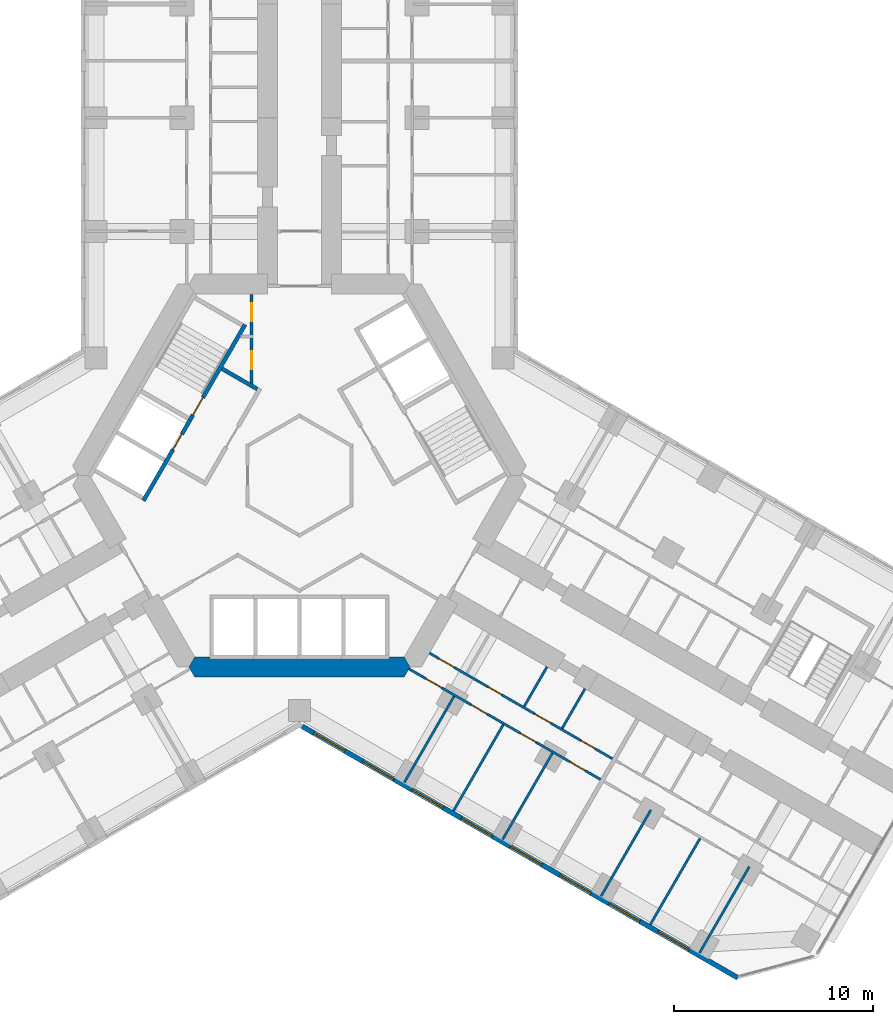
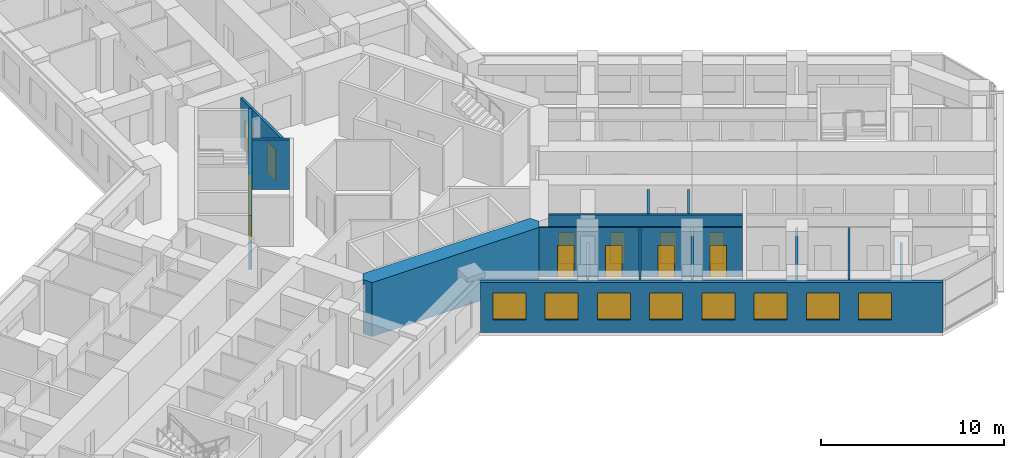
# One storey, part 13 of 21: 15 walls, 12 doors, 8 windows, 20 openings.
"""IFC4 building model written with IfcOpenShell, lengths in metres."""

from ifc_helpers import new_model, si_unit, direction, frame, frame_2d, origin, place, context, subcontext, project, spatial, polyline, rectangle, outline, extrude, material, layer, layer_set, type_object, element, fill, save


model = new_model("IFC4")

# Units and contexts
model_context = context("Model", 3, precision=1e-05, world=origin(), true_north=direction((0.0, 1.0)))
body_context = subcontext(model_context, "Body", "Model", "MODEL_VIEW")
ifc_project = project(units=[si_unit("LENGTHUNIT", "METRE"), si_unit("AREAUNIT", "SQUARE_METRE"), si_unit("VOLUMEUNIT", "CUBIC_METRE"), si_unit("PLANEANGLEUNIT", "RADIAN"), si_unit("MASSUNIT", "GRAM", prefix="KILO")], contexts=[model_context])

# Site, building, storey
site_placement = place(None, origin())
site = spatial("IfcSite", under=ifc_project, at=site_placement, CompositionType="ELEMENT")
building_placement = place(site_placement, origin())
building = spatial("IfcBuilding", under=site, at=building_placement, Name="Kosmar Iwan School Tower", CompositionType="ELEMENT")
storey_placement = place(building_placement, frame((0.0, 0.0, 28.800048828125)))
storey = spatial("IfcBuildingStorey", under=building, at=storey_placement, Name="L06", CompositionType="ELEMENT", Elevation=28.800048828125)

# Wall, openings, doors
ifc_material_1 = material(Name="Gypsum board on steel studs, fire-rated", Category="steel")
ifc_layer_1 = layer(ifc_material_1, 0.14990234375)
ifc_layer_set_1 = layer_set([ifc_layer_1], Name="Core room partition 150")
wall_type_1 = type_object("IfcWallType", Name="Core room partition 150", PredefinedType="PARTITIONING", material=ifc_layer_set_1)
wall_1_placement = place(storey_placement, frame((-2.39990234375, 9.094970703125, 0.0), z_axis=(0.0, 0.0, 1.0), x_axis=(0.0, -1.0, 0.0)))
wall_1 = element("IfcWall", 1, at=wall_1_placement, inside=storey, type_object=wall_type_1, Name="Core room partition L06-CW1", PredefinedType="PARTITIONING", context=body_context, shape_type="SweptSolid", body=[
    extrude(rectangle(XDim=4.564208984375, YDim=0.14990234375, at=frame_2d((2.2822265625, 0.0))), origin(), (0.0, 0.0, 1.0), 3.300048828125),
])
opening_1_placement = place(wall_1_placement, frame((0.455078125, 0.0, 0.0)))
opening_1 = element("IfcOpeningElement", 2, at=opening_1_placement, cuts=wall_1, Name="Opening D14", PredefinedType="OPENING", context=body_context, shape_type="SweptSolid", body=[
    extrude(rectangle(XDim=0.89990234375, YDim=2.10009765625, at=frame_2d((0.449951171875, 1.050048828125))), frame((0.0, 0.0869140625, 0.0), z_axis=(0.0, -1.0, 0.0), x_axis=(1.0, 0.0, 0.0)), (0.0, 0.0, 1.0), 0.173828125),
])
opening_2_placement = place(wall_1_placement, frame((2.85498046875, 0.0, 0.0)))
opening_2 = element("IfcOpeningElement", 3, at=opening_2_placement, cuts=wall_1, Name="Opening D14", PredefinedType="OPENING", context=body_context, shape_type="SweptSolid", body=[
    extrude(rectangle(XDim=0.89990234375, YDim=2.10009765625, at=frame_2d((0.449951171875, 1.050048828125))), frame((0.0, 0.0869140625, 0.0), z_axis=(0.0, -1.0, 0.0), x_axis=(1.0, 0.0, 0.0)), (0.0, 0.0, 1.0), 0.173828125),
])
ifc_material_2 = material(Name="Timber fire door in steel frame", Category="steel")
door_type_1 = type_object("IfcDoorType", Name="Core room door 900x2100", OperationType="SINGLE_SWING_LEFT", PredefinedType="DOOR", material=ifc_material_2)
door_1_placement = place(opening_1_placement, origin())
door_1 = element("IfcDoor", 4, at=door_1_placement, inside=storey, type_object=door_type_1, Name="Electrical riser and switch room door L06 1", OperationType="SINGLE_SWING_LEFT", OverallHeight=2.10009765625, OverallWidth=0.89990234375, PredefinedType="DOOR", context=body_context, shape_type="SweptSolid", body=[
    extrude(rectangle(XDim=0.89990234375, YDim=2.10009765625, at=frame_2d((0.449951171875, 1.050048828125))), frame((0.0, 0.02490234375, 0.0), z_axis=(0.0, -1.0, 0.0), x_axis=(1.0, 0.0, 0.0)), (0.0, 0.0, 1.0), 0.050048828125),
])
fill(opening_1, door_1)
door_2_placement = place(opening_2_placement, origin())
door_2 = element("IfcDoor", 5, at=door_2_placement, inside=storey, type_object=door_type_1, Name="Plumbing and wet riser door L06 2", OperationType="SINGLE_SWING_RIGHT", OverallHeight=2.10009765625, OverallWidth=0.89990234375, PredefinedType="DOOR", context=body_context, shape_type="SweptSolid", body=[
    extrude(rectangle(XDim=0.89990234375, YDim=2.10009765625, at=frame_2d((0.449951171875, 1.050048828125))), frame((0.0, 0.02490234375, 0.0), z_axis=(0.0, -1.0, 0.0), x_axis=(1.0, 0.0, 0.0)), (0.0, 0.0, 1.0), 0.050048828125),
])
fill(opening_2, door_2)

# Wall
ifc_material_3 = material(Name="Concrete C50/60", Category="concrete")
ifc_layer_2 = layer(ifc_material_3, 1.0)
ifc_layer_set_2 = layer_set([ifc_layer_2], Name="Core wall 1000")
wall_type_2 = type_object("IfcWallType", Name="Core wall 1000", PredefinedType="SHEAR", material=ifc_layer_set_2)
wall_2_placement = place(storey_placement, origin())
element("IfcWall", 6, at=wall_2_placement, inside=storey, type_object=wall_type_2, Name="Core wall F270", PredefinedType="SHEAR", context=body_context, shape_type="SweptSolid", body=[
    extrude(outline(polyline([(-5.25390625, -10.10009765625), (5.25390625, -10.10009765625), (5.54248046875, -9.60009765625), (5.25390625, -9.10009765625), (-5.25390625, -9.10009765625), (-5.54248046875, -9.60009765625), (-5.25390625, -10.10009765625)])), origin(), (0.0, 0.0, 1.0), 3.599853515625),
])

# Wall, openings, doors
ifc_material_4 = material(Name="Gypsum board on steel studs", Category="steel")
ifc_layer_3 = layer(ifc_material_4, 0.1201171875)
ifc_layer_set_3 = layer_set([ifc_layer_3], Name="Dwelling partition 120")
wall_type_3 = type_object("IfcWallType", Name="Dwelling partition 120", PredefinedType="PARTITIONING", material=ifc_layer_set_3)
wall_3_placement = place(storey_placement, frame((6.521728515625, -8.90380859375, 0.0), z_axis=(0.0, 0.0, 1.0), x_axis=(0.866024879913, -0.50000090737, 0.0)))
wall_3 = element("IfcWall", 7, at=wall_3_placement, inside=storey, type_object=wall_type_3, Name="Partition L06-CR1-W1", PredefinedType="PARTITIONING", context=body_context, shape_type="SweptSolid", body=[
    extrude(rectangle(XDim=10.60009765625, YDim=0.1201171875, at=frame_2d((5.300048828125, 0.0))), origin(), (0.0, 0.0, 1.0), 3.300048828125),
])
opening_3_placement = place(wall_3_placement, frame((0.56005859375, 0.0, 0.0)))
opening_3 = element("IfcOpeningElement", 8, at=opening_3_placement, cuts=wall_3, Name="Opening D2", PredefinedType="OPENING", context=body_context, shape_type="SweptSolid", body=[
    extrude(rectangle(XDim=0.89990234375, YDim=2.10009765625, at=frame_2d((0.449951171875, 1.050048828125))), frame((0.0, 0.072021484375, 0.0), z_axis=(0.0, -1.0, 0.0), x_axis=(1.0, 0.0, 0.0)), (0.0, 0.0, 1.0), 0.14404296875),
])
opening_4_placement = place(wall_3_placement, frame((3.385009765625, 0.0, 0.0)))
opening_4 = element("IfcOpeningElement", 9, at=opening_4_placement, cuts=wall_3, Name="Opening D3", PredefinedType="OPENING", context=body_context, shape_type="SweptSolid", body=[
    extrude(rectangle(XDim=0.800048828125, YDim=2.10009765625, at=frame_2d((0.39990234375, 1.050048828125))), frame((0.0, 0.072021484375, 0.0), z_axis=(0.0, -1.0, 0.0), x_axis=(1.0, 0.0, 0.0)), (0.0, 0.0, 1.0), 0.14404296875),
])
opening_5_placement = place(wall_3_placement, frame((6.10009765625, 0.0, 0.0)))
opening_5 = element("IfcOpeningElement", 10, at=opening_5_placement, cuts=wall_3, Name="Opening D2", PredefinedType="OPENING", context=body_context, shape_type="SweptSolid", body=[
    extrude(rectangle(XDim=0.89990234375, YDim=2.10009765625, at=frame_2d((0.449951171875, 1.050048828125))), frame((0.0, 0.072021484375, 0.0), z_axis=(0.0, -1.0, 0.0), x_axis=(1.0, 0.0, 0.0)), (0.0, 0.0, 1.0), 0.14404296875),
])
opening_6_placement = place(wall_3_placement, frame((8.77490234375, 0.0, 0.0)))
opening_6 = element("IfcOpeningElement", 11, at=opening_6_placement, cuts=wall_3, Name="Opening D3", PredefinedType="OPENING", context=body_context, shape_type="SweptSolid", body=[
    extrude(rectangle(XDim=0.800048828125, YDim=2.10009765625, at=frame_2d((0.39990234375, 1.050048828125))), frame((0.0, 0.072021484375, 0.0), z_axis=(0.0, -1.0, 0.0), x_axis=(1.0, 0.0, 0.0)), (0.0, 0.0, 1.0), 0.14404296875),
])
ifc_material_5 = material(Name="Timber door in timber frame", Category="wood")
door_type_2 = type_object("IfcDoorType", Name="Internal door 900x2100", OperationType="SINGLE_SWING_LEFT", PredefinedType="DOOR", material=ifc_material_5)
door_3_placement = place(opening_3_placement, origin())
door_3 = element("IfcDoor", 12, at=door_3_placement, inside=storey, type_object=door_type_2, Name="Pantry door L06-CR1-S1", OperationType="SINGLE_SWING_LEFT", OverallHeight=2.10009765625, OverallWidth=0.89990234375, PredefinedType="DOOR", context=body_context, shape_type="SweptSolid", body=[
    extrude(rectangle(XDim=0.89990234375, YDim=2.10009765625, at=frame_2d((0.449951171875, 1.050048828125))), frame((0.0, 0.02490234375, 0.0), z_axis=(0.0, -1.0, 0.0), x_axis=(1.0, 0.0, 0.0)), (0.0, 0.0, 1.0), 0.050048828125),
])
fill(opening_3, door_3)
door_4_placement = place(opening_5_placement, origin())
door_4 = element("IfcDoor", 13, at=door_4_placement, inside=storey, type_object=door_type_2, Name="Entrance hall door L06-CR1-S3", OperationType="SINGLE_SWING_LEFT", OverallHeight=2.10009765625, OverallWidth=0.89990234375, PredefinedType="DOOR", context=body_context, shape_type="SweptSolid", body=[
    extrude(rectangle(XDim=0.89990234375, YDim=2.10009765625, at=frame_2d((0.449951171875, 1.050048828125))), frame((0.0, 0.02490234375, 0.0), z_axis=(0.0, -1.0, 0.0), x_axis=(1.0, 0.0, 0.0)), (0.0, 0.0, 1.0), 0.050048828125),
])
fill(opening_5, door_4)
ifc_material_6 = material(Name="Timber door in timber frame", Category="wood")
door_type_3 = type_object("IfcDoorType", Name="Sanitary room door 800x2100", OperationType="SINGLE_SWING_LEFT", PredefinedType="DOOR", material=ifc_material_6)
door_5_placement = place(opening_4_placement, origin())
door_5 = element("IfcDoor", 14, at=door_5_placement, inside=storey, type_object=door_type_3, Name="Bathroom door L06-CR1-S2", OperationType="SINGLE_SWING_RIGHT", OverallHeight=2.10009765625, OverallWidth=0.800048828125, PredefinedType="DOOR", context=body_context, shape_type="SweptSolid", body=[
    extrude(rectangle(XDim=0.800048828125, YDim=2.10009765625, at=frame_2d((0.39990234375, 1.050048828125))), frame((0.0, 0.02490234375, 0.0), z_axis=(0.0, -1.0, 0.0), x_axis=(1.0, 0.0, 0.0)), (0.0, 0.0, 1.0), 0.050048828125),
])
fill(opening_4, door_5)
door_6_placement = place(opening_6_placement, origin())
door_6 = element("IfcDoor", 15, at=door_6_placement, inside=storey, type_object=door_type_3, Name="WC door L06-CR1-S4", OperationType="SINGLE_SWING_RIGHT", OverallHeight=2.10009765625, OverallWidth=0.800048828125, PredefinedType="DOOR", context=body_context, shape_type="SweptSolid", body=[
    extrude(rectangle(XDim=0.800048828125, YDim=2.10009765625, at=frame_2d((0.39990234375, 1.050048828125))), frame((0.0, 0.02490234375, 0.0), z_axis=(0.0, -1.0, 0.0), x_axis=(1.0, 0.0, 0.0)), (0.0, 0.0, 1.0), 0.050048828125),
])
fill(opening_6, door_6)

wall_4_placement = place(storey_placement, frame((5.48876953125, -9.693115234375, 0.0), z_axis=(0.0, 0.0, 1.0), x_axis=(0.866026992824, -0.499997247692, 0.0)))
wall_4 = element("IfcWall", 16, at=wall_4_placement, inside=storey, type_object=wall_type_3, Name="Partition L06-CR1-W2", PredefinedType="PARTITIONING", context=body_context, shape_type="SweptSolid", body=[
    extrude(rectangle(XDim=11.10009765625, YDim=0.1201171875, at=frame_2d((5.550048828125, 0.0))), origin(), (0.0, 0.0, 1.0), 3.300048828125),
])
opening_7_placement = place(wall_4_placement, frame((1.0, 0.0, 0.0)))
opening_7 = element("IfcOpeningElement", 17, at=opening_7_placement, cuts=wall_4, Name="Opening D2", PredefinedType="OPENING", context=body_context, shape_type="SweptSolid", body=[
    extrude(rectangle(XDim=0.89990234375, YDim=2.10009765625, at=frame_2d((0.449951171875, 1.050048828125))), frame((0.0, 0.072021484375, 0.0), z_axis=(0.0, -1.0, 0.0), x_axis=(1.0, 0.0, 0.0)), (0.0, 0.0, 1.0), 0.14404296875),
])
opening_8_placement = place(wall_4_placement, frame((3.625, 0.0, 0.0)))
opening_8 = element("IfcOpeningElement", 18, at=opening_8_placement, cuts=wall_4, Name="Opening D2", PredefinedType="OPENING", context=body_context, shape_type="SweptSolid", body=[
    extrude(rectangle(XDim=0.89990234375, YDim=2.10009765625, at=frame_2d((0.449951171875, 1.050048828125))), frame((0.0, 0.072021484375, 0.0), z_axis=(0.0, -1.0, 0.0), x_axis=(1.0, 0.0, 0.0)), (0.0, 0.0, 1.0), 0.14404296875),
])
opening_9_placement = place(wall_4_placement, frame((6.47509765625, 0.0, 0.0)))
opening_9 = element("IfcOpeningElement", 19, at=opening_9_placement, cuts=wall_4, Name="Opening D2", PredefinedType="OPENING", context=body_context, shape_type="SweptSolid", body=[
    extrude(rectangle(XDim=0.89990234375, YDim=2.10009765625, at=frame_2d((0.449951171875, 1.050048828125))), frame((0.0, 0.072021484375, 0.0), z_axis=(0.0, -1.0, 0.0), x_axis=(1.0, 0.0, 0.0)), (0.0, 0.0, 1.0), 0.14404296875),
])
opening_10_placement = place(wall_4_placement, frame((9.324951171875, 0.0, 0.0)))
opening_10 = element("IfcOpeningElement", 20, at=opening_10_placement, cuts=wall_4, Name="Opening D2", PredefinedType="OPENING", context=body_context, shape_type="SweptSolid", body=[
    extrude(rectangle(XDim=0.89990234375, YDim=2.10009765625, at=frame_2d((0.449951171875, 1.050048828125))), frame((0.0, 0.072021484375, 0.0), z_axis=(0.0, -1.0, 0.0), x_axis=(1.0, 0.0, 0.0)), (0.0, 0.0, 1.0), 0.14404296875),
])
door_7_placement = place(opening_7_placement, origin())
door_7 = element("IfcDoor", 21, at=door_7_placement, inside=storey, type_object=door_type_2, Name="Living room and kitchen door L06-CR1-F1", OperationType="SINGLE_SWING_LEFT", OverallHeight=2.10009765625, OverallWidth=0.89990234375, PredefinedType="DOOR", context=body_context, shape_type="SweptSolid", body=[
    extrude(rectangle(XDim=0.89990234375, YDim=2.10009765625, at=frame_2d((0.449951171875, 1.050048828125))), frame((0.0, 0.02490234375, 0.0), z_axis=(0.0, -1.0, 0.0), x_axis=(1.0, 0.0, 0.0)), (0.0, 0.0, 1.0), 0.050048828125),
])
fill(opening_7, door_7)
door_8_placement = place(opening_8_placement, origin())
door_8 = element("IfcDoor", 22, at=door_8_placement, inside=storey, type_object=door_type_2, Name="Study door L06-CR1-F2", OperationType="SINGLE_SWING_LEFT", OverallHeight=2.10009765625, OverallWidth=0.89990234375, PredefinedType="DOOR", context=body_context, shape_type="SweptSolid", body=[
    extrude(rectangle(XDim=0.89990234375, YDim=2.10009765625, at=frame_2d((0.449951171875, 1.050048828125))), frame((0.0, 0.02490234375, 0.0), z_axis=(0.0, -1.0, 0.0), x_axis=(1.0, 0.0, 0.0)), (0.0, 0.0, 1.0), 0.050048828125),
])
fill(opening_8, door_8)
door_9_placement = place(opening_9_placement, origin())
door_9 = element("IfcDoor", 23, at=door_9_placement, inside=storey, type_object=door_type_2, Name="Study door L06-CR1-F3", OperationType="SINGLE_SWING_RIGHT", OverallHeight=2.10009765625, OverallWidth=0.89990234375, PredefinedType="DOOR", context=body_context, shape_type="SweptSolid", body=[
    extrude(rectangle(XDim=0.89990234375, YDim=2.10009765625, at=frame_2d((0.449951171875, 1.050048828125))), frame((0.0, 0.02490234375, 0.0), z_axis=(0.0, -1.0, 0.0), x_axis=(1.0, 0.0, 0.0)), (0.0, 0.0, 1.0), 0.050048828125),
])
fill(opening_9, door_9)
door_10_placement = place(opening_10_placement, origin())
door_10 = element("IfcDoor", 24, at=door_10_placement, inside=storey, type_object=door_type_2, Name="Bedroom 1 door L06-CR1-F4", OperationType="SINGLE_SWING_RIGHT", OverallHeight=2.10009765625, OverallWidth=0.89990234375, PredefinedType="DOOR", context=body_context, shape_type="SweptSolid", body=[
    extrude(rectangle(XDim=0.89990234375, YDim=2.10009765625, at=frame_2d((0.449951171875, 1.050048828125))), frame((0.0, 0.02490234375, 0.0), z_axis=(0.0, -1.0, 0.0), x_axis=(1.0, 0.0, 0.0)), (0.0, 0.0, 1.0), 0.050048828125),
])
fill(opening_10, door_10)

# Walls
wall_5_placement = place(storey_placement, frame((7.75390625, -11.070068359375, 0.0), z_axis=(0.0, 0.0, 1.0), x_axis=(-0.500033033937, -0.866006330792, 0.0)))
element("IfcWall", 25, at=wall_5_placement, inside=storey, type_object=wall_type_3, Name="Partition L06-CR1-X1", PredefinedType="PARTITIONING", context=body_context, shape_type="SweptSolid", body=[
    extrude(rectangle(XDim=4.989990234375, YDim=0.1201171875, at=frame_2d((2.4951171875, 0.0))), origin(), (0.0, 0.0, 1.0), 2.300048828125),
])
wall_6_placement = place(storey_placement, frame((10.221923828125, -12.4951171875, 0.0), z_axis=(0.0, 0.0, 1.0), x_axis=(-0.499996339024, -0.86602751744, 0.0)))
element("IfcWall", 26, at=wall_6_placement, inside=storey, type_object=wall_type_3, Name="Partition L06-CR1-X2", PredefinedType="PARTITIONING", context=body_context, shape_type="SweptSolid", body=[
    extrude(rectangle(XDim=4.98974609375, YDim=0.1201171875, at=frame_2d((2.494873046875, 0.0))), origin(), (0.0, 0.0, 1.0), 3.300048828125),
])
wall_7_placement = place(storey_placement, frame((12.690185546875, -13.919921875, 0.0), z_axis=(0.0, 0.0, 1.0), x_axis=(-0.500011847778, -0.866018563358, 0.0)))
element("IfcWall", 27, at=wall_7_placement, inside=storey, type_object=wall_type_3, Name="Partition L06-CR1-X3", PredefinedType="PARTITIONING", context=body_context, shape_type="SweptSolid", body=[
    extrude(rectangle(XDim=4.990234375, YDim=0.1201171875, at=frame_2d((2.4951171875, 0.0))), origin(), (0.0, 0.0, 1.0), 3.300048828125),
])
for number, where, z_axis, x_axis, name in (
    (28, (12.416748046875, -9.59375, 0.0), (0.0, 0.0, 1.0), (-0.500014693593, -0.866016920268, 0.0), "Partition L06-CR1-Y2"),
    (29, (14.322021484375, -10.693603515625, 0.0), (0.0, 0.0, 1.0), (-0.500014693593, -0.866016920268, 0.0), "Partition L06-CR1-Y3"),
):
    element("IfcWall", number, at=place(storey_placement, frame(where, z_axis=z_axis, x_axis=x_axis)), inside=storey, type_object=wall_type_3, Name=name, PredefinedType="PARTITIONING", context=body_context, shape_type="SweptSolid", body=[
        extrude(rectangle(XDim=2.2900390625, YDim=0.1201171875, at=frame_2d((1.14501953125, 0.0))), origin(), (0.0, 0.0, 1.0), 3.300048828125),
    ])
wall_8_placement = place(storey_placement, frame((17.62646484375, -16.77001953125, 0.0), z_axis=(0.0, 0.0, 1.0), x_axis=(-0.499975153383, -0.86603974851, 0.0)))
element("IfcWall", 30, at=wall_8_placement, inside=storey, type_object=wall_type_3, Name="Partition L06-CR2-X1", PredefinedType="PARTITIONING", context=body_context, shape_type="SweptSolid", body=[
    extrude(rectangle(XDim=4.989990234375, YDim=0.1201171875, at=frame_2d((2.4951171875, 0.0))), origin(), (0.0, 0.0, 1.0), 3.300048828125),
])
wall_9_placement = place(storey_placement, frame((20.0947265625, -18.195068359375, 0.0), z_axis=(0.0, 0.0, 1.0), x_axis=(-0.500011847778, -0.866018563358, 0.0)))
element("IfcWall", 31, at=wall_9_placement, inside=storey, type_object=wall_type_3, Name="Partition L06-CR2-X2", PredefinedType="PARTITIONING", context=body_context, shape_type="SweptSolid", body=[
    extrude(rectangle(XDim=4.990234375, YDim=0.1201171875, at=frame_2d((2.4951171875, 0.0))), origin(), (0.0, 0.0, 1.0), 3.300048828125),
])
wall_10_placement = place(storey_placement, frame((22.562744140625, -19.6201171875, 0.0), z_axis=(0.0, 0.0, 1.0), x_axis=(-0.499996339024, -0.86602751744, 0.0)))
element("IfcWall", 32, at=wall_10_placement, inside=storey, type_object=wall_type_3, Name="Partition L06-CR2-X3", PredefinedType="PARTITIONING", context=body_context, shape_type="SweptSolid", body=[
    extrude(rectangle(XDim=4.98974609375, YDim=0.1201171875, at=frame_2d((2.494873046875, 0.0))), origin(), (0.0, 0.0, 1.0), 2.300048828125),
])

# Wall, openings, windows
ifc_material_7 = material(Name="Black aluminium rainscreen on insulated framing", Category="aluminium")
ifc_layer_4 = layer(ifc_material_7, 0.25)
ifc_layer_set_4 = layer_set([ifc_layer_4], Name="External wall rainscreen 250")
wall_type_4 = type_object("IfcWallType", Name="External wall rainscreen 250", PredefinedType="SOLIDWALL", material=ifc_layer_set_4)
wall_11_placement = place(storey_placement, frame((0.137939453125, -12.5791015625, 0.0), z_axis=(0.0, 0.0, 1.0), x_axis=(0.866023775649, -0.500002820003, 0.0)))
wall_11 = element("IfcWall", 33, at=wall_11_placement, inside=storey, type_object=wall_type_4, Name="External wall CR L06", PredefinedType="SOLIDWALL", context=body_context, shape_type="SweptSolid", body=[
    extrude(rectangle(XDim=25.226318359375, YDim=0.25, at=frame_2d((12.61328125, 0.0))), origin(), (0.0, 0.0, 1.0), 3.300048828125),
])
opening_11_placement = place(wall_11_placement, frame((0.666015625, 0.0, 0.800048828125)))
opening_11 = element("IfcOpeningElement", 34, at=opening_11_placement, cuts=wall_11, Name="Opening W1", PredefinedType="OPENING", context=body_context, shape_type="SweptSolid", body=[
    extrude(rectangle(XDim=1.800048828125, YDim=1.800048828125, at=frame_2d((0.89990234375, 0.89990234375))), frame((0.0, 0.136962890625, 0.0), z_axis=(0.0, -1.0, 0.0), x_axis=(1.0, 0.0, 0.0)), (0.0, 0.0, 1.0), 0.27392578125),
])
opening_12_placement = place(wall_11_placement, frame((3.51611328125, 0.0, 0.800048828125)))
opening_12 = element("IfcOpeningElement", 35, at=opening_12_placement, cuts=wall_11, Name="Opening W1", PredefinedType="OPENING", context=body_context, shape_type="SweptSolid", body=[
    extrude(rectangle(XDim=1.800048828125, YDim=1.800048828125, at=frame_2d((0.89990234375, 0.89990234375))), frame((0.0, 0.136962890625, 0.0), z_axis=(0.0, -1.0, 0.0), x_axis=(1.0, 0.0, 0.0)), (0.0, 0.0, 1.0), 0.27392578125),
])
opening_13_placement = place(wall_11_placement, frame((6.365966796875, 0.0, 0.800048828125)))
opening_13 = element("IfcOpeningElement", 36, at=opening_13_placement, cuts=wall_11, Name="Opening W1", PredefinedType="OPENING", context=body_context, shape_type="SweptSolid", body=[
    extrude(rectangle(XDim=1.800048828125, YDim=1.800048828125, at=frame_2d((0.89990234375, 0.89990234375))), frame((0.0, 0.136962890625, 0.0), z_axis=(0.0, -1.0, 0.0), x_axis=(1.0, 0.0, 0.0)), (0.0, 0.0, 1.0), 0.27392578125),
])
opening_14_placement = place(wall_11_placement, frame((9.216064453125, 0.0, 0.800048828125)))
opening_14 = element("IfcOpeningElement", 37, at=opening_14_placement, cuts=wall_11, Name="Opening W1", PredefinedType="OPENING", context=body_context, shape_type="SweptSolid", body=[
    extrude(rectangle(XDim=1.800048828125, YDim=1.800048828125, at=frame_2d((0.89990234375, 0.89990234375))), frame((0.0, 0.136962890625, 0.0), z_axis=(0.0, -1.0, 0.0), x_axis=(1.0, 0.0, 0.0)), (0.0, 0.0, 1.0), 0.27392578125),
])
opening_15_placement = place(wall_11_placement, frame((12.06591796875, 0.0, 0.800048828125)))
opening_15 = element("IfcOpeningElement", 38, at=opening_15_placement, cuts=wall_11, Name="Opening W1", PredefinedType="OPENING", context=body_context, shape_type="SweptSolid", body=[
    extrude(rectangle(XDim=1.800048828125, YDim=1.800048828125, at=frame_2d((0.89990234375, 0.89990234375))), frame((0.0, 0.136962890625, 0.0), z_axis=(0.0, -1.0, 0.0), x_axis=(1.0, 0.0, 0.0)), (0.0, 0.0, 1.0), 0.27392578125),
])
opening_16_placement = place(wall_11_placement, frame((14.916015625, 0.0, 0.800048828125)))
opening_16 = element("IfcOpeningElement", 39, at=opening_16_placement, cuts=wall_11, Name="Opening W1", PredefinedType="OPENING", context=body_context, shape_type="SweptSolid", body=[
    extrude(rectangle(XDim=1.800048828125, YDim=1.800048828125, at=frame_2d((0.89990234375, 0.89990234375))), frame((0.0, 0.136962890625, 0.0), z_axis=(0.0, -1.0, 0.0), x_axis=(1.0, 0.0, 0.0)), (0.0, 0.0, 1.0), 0.27392578125),
])
opening_17_placement = place(wall_11_placement, frame((17.76611328125, 0.0, 0.800048828125)))
opening_17 = element("IfcOpeningElement", 40, at=opening_17_placement, cuts=wall_11, Name="Opening W1", PredefinedType="OPENING", context=body_context, shape_type="SweptSolid", body=[
    extrude(rectangle(XDim=1.800048828125, YDim=1.800048828125, at=frame_2d((0.89990234375, 0.89990234375))), frame((0.0, 0.136962890625, 0.0), z_axis=(0.0, -1.0, 0.0), x_axis=(1.0, 0.0, 0.0)), (0.0, 0.0, 1.0), 0.27392578125),
])
opening_18_placement = place(wall_11_placement, frame((20.615966796875, 0.0, 0.800048828125)))
opening_18 = element("IfcOpeningElement", 41, at=opening_18_placement, cuts=wall_11, Name="Opening W1", PredefinedType="OPENING", context=body_context, shape_type="SweptSolid", body=[
    extrude(rectangle(XDim=1.800048828125, YDim=1.800048828125, at=frame_2d((0.89990234375, 0.89990234375))), frame((0.0, 0.136962890625, 0.0), z_axis=(0.0, -1.0, 0.0), x_axis=(1.0, 0.0, 0.0)), (0.0, 0.0, 1.0), 0.27392578125),
])
ifc_material_8 = material(Name="Black aluminium frame with dark triple glazing", Category="aluminium")
window_type = type_object("IfcWindowType", Name="Window 1800x1800", PartitioningType="SINGLE_PANEL", PredefinedType="WINDOW", material=ifc_material_8)
window_1_placement = place(opening_11_placement, origin())
window_1 = element("IfcWindow", 42, at=window_1_placement, inside=storey, type_object=window_type, Name="Window CR L06 -1", OverallHeight=1.800048828125, OverallWidth=1.800048828125, PartitioningType="SINGLE_PANEL", PredefinedType="WINDOW", context=body_context, shape_type="SweptSolid", body=[
    extrude(rectangle(XDim=1.800048828125, YDim=1.800048828125, at=frame_2d((0.89990234375, 0.89990234375))), frame((0.0, 0.030029296875, 0.0), z_axis=(0.0, -1.0, 0.0), x_axis=(1.0, 0.0, 0.0)), (0.0, 0.0, 1.0), 0.06005859375),
])
fill(opening_11, window_1)
window_2_placement = place(opening_12_placement, origin())
window_2 = element("IfcWindow", 43, at=window_2_placement, inside=storey, type_object=window_type, Name="Window CR L06 0", OverallHeight=1.800048828125, OverallWidth=1.800048828125, PartitioningType="SINGLE_PANEL", PredefinedType="WINDOW", context=body_context, shape_type="SweptSolid", body=[
    extrude(rectangle(XDim=1.800048828125, YDim=1.800048828125, at=frame_2d((0.89990234375, 0.89990234375))), frame((0.0, 0.030029296875, 0.0), z_axis=(0.0, -1.0, 0.0), x_axis=(1.0, 0.0, 0.0)), (0.0, 0.0, 1.0), 0.06005859375),
])
fill(opening_12, window_2)
window_3_placement = place(opening_13_placement, origin())
window_3 = element("IfcWindow", 44, at=window_3_placement, inside=storey, type_object=window_type, Name="Window CR L06 1", OverallHeight=1.800048828125, OverallWidth=1.800048828125, PartitioningType="SINGLE_PANEL", PredefinedType="WINDOW", context=body_context, shape_type="SweptSolid", body=[
    extrude(rectangle(XDim=1.800048828125, YDim=1.800048828125, at=frame_2d((0.89990234375, 0.89990234375))), frame((0.0, 0.030029296875, 0.0), z_axis=(0.0, -1.0, 0.0), x_axis=(1.0, 0.0, 0.0)), (0.0, 0.0, 1.0), 0.06005859375),
])
fill(opening_13, window_3)
window_4_placement = place(opening_14_placement, origin())
window_4 = element("IfcWindow", 45, at=window_4_placement, inside=storey, type_object=window_type, Name="Window CR L06 2", OverallHeight=1.800048828125, OverallWidth=1.800048828125, PartitioningType="SINGLE_PANEL", PredefinedType="WINDOW", context=body_context, shape_type="SweptSolid", body=[
    extrude(rectangle(XDim=1.800048828125, YDim=1.800048828125, at=frame_2d((0.89990234375, 0.89990234375))), frame((0.0, 0.030029296875, 0.0), z_axis=(0.0, -1.0, 0.0), x_axis=(1.0, 0.0, 0.0)), (0.0, 0.0, 1.0), 0.06005859375),
])
fill(opening_14, window_4)
window_5_placement = place(opening_15_placement, origin())
window_5 = element("IfcWindow", 46, at=window_5_placement, inside=storey, type_object=window_type, Name="Window CR L06 3", OverallHeight=1.800048828125, OverallWidth=1.800048828125, PartitioningType="SINGLE_PANEL", PredefinedType="WINDOW", context=body_context, shape_type="SweptSolid", body=[
    extrude(rectangle(XDim=1.800048828125, YDim=1.800048828125, at=frame_2d((0.89990234375, 0.89990234375))), frame((0.0, 0.030029296875, 0.0), z_axis=(0.0, -1.0, 0.0), x_axis=(1.0, 0.0, 0.0)), (0.0, 0.0, 1.0), 0.06005859375),
])
fill(opening_15, window_5)
window_6_placement = place(opening_16_placement, origin())
window_6 = element("IfcWindow", 47, at=window_6_placement, inside=storey, type_object=window_type, Name="Window CR L06 4", OverallHeight=1.800048828125, OverallWidth=1.800048828125, PartitioningType="SINGLE_PANEL", PredefinedType="WINDOW", context=body_context, shape_type="SweptSolid", body=[
    extrude(rectangle(XDim=1.800048828125, YDim=1.800048828125, at=frame_2d((0.89990234375, 0.89990234375))), frame((0.0, 0.030029296875, 0.0), z_axis=(0.0, -1.0, 0.0), x_axis=(1.0, 0.0, 0.0)), (0.0, 0.0, 1.0), 0.06005859375),
])
fill(opening_16, window_6)
window_7_placement = place(opening_17_placement, origin())
window_7 = element("IfcWindow", 48, at=window_7_placement, inside=storey, type_object=window_type, Name="Window CR L06 5", OverallHeight=1.800048828125, OverallWidth=1.800048828125, PartitioningType="SINGLE_PANEL", PredefinedType="WINDOW", context=body_context, shape_type="SweptSolid", body=[
    extrude(rectangle(XDim=1.800048828125, YDim=1.800048828125, at=frame_2d((0.89990234375, 0.89990234375))), frame((0.0, 0.030029296875, 0.0), z_axis=(0.0, -1.0, 0.0), x_axis=(1.0, 0.0, 0.0)), (0.0, 0.0, 1.0), 0.06005859375),
])
fill(opening_17, window_7)
window_8_placement = place(opening_18_placement, origin())
window_8 = element("IfcWindow", 49, at=window_8_placement, inside=storey, type_object=window_type, Name="Window CR L06 6", OverallHeight=1.800048828125, OverallWidth=1.800048828125, PartitioningType="SINGLE_PANEL", PredefinedType="WINDOW", context=body_context, shape_type="SweptSolid", body=[
    extrude(rectangle(XDim=1.800048828125, YDim=1.800048828125, at=frame_2d((0.89990234375, 0.89990234375))), frame((0.0, 0.030029296875, 0.0), z_axis=(0.0, -1.0, 0.0), x_axis=(1.0, 0.0, 0.0)), (0.0, 0.0, 1.0), 0.06005859375),
])
fill(opening_18, window_8)

# Wall
ifc_material_9 = material(Name="Concrete block masonry", Category="masonry")
ifc_layer_5 = layer(ifc_material_9, 0.199951171875)
ifc_layer_set_5 = layer_set([ifc_layer_5], Name="Fire lobby wall 200")
wall_type_5 = type_object("IfcWallType", Name="Fire lobby wall 200", PredefinedType="PARTITIONING", material=ifc_layer_set_5)
wall_12_placement = place(storey_placement, frame((-2.114013671875, 4.33837890625, 0.0), z_axis=(0.0, 0.0, 1.0), x_axis=(-0.866050731258, 0.499956128963, 0.0)))
element("IfcWall", 50, at=wall_12_placement, inside=storey, type_object=wall_type_5, Name="Firefighting lobby wall ST2", PredefinedType="PARTITIONING", context=body_context, shape_type="SweptSolid", body=[
    extrude(rectangle(XDim=2.050048828125, YDim=0.199951171875, at=frame_2d((1.02490234375, 0.0))), origin(), (0.0, 0.0, 1.0), 3.300048828125),
])

# Wall, openings, doors
ifc_material_10 = material(Name="Concrete C50/60", Category="concrete")
ifc_layer_6 = layer(ifc_material_10, 0.199951171875)
ifc_layer_set_6 = layer_set([ifc_layer_6], Name="Lift shaft wall 200")
wall_type_6 = type_object("IfcWallType", Name="Lift shaft wall 200", PredefinedType="SHEAR", material=ifc_layer_set_6)
wall_13_placement = place(storey_placement, frame((-2.72607421875, 7.578369140625, 0.0), z_axis=(0.0, 0.0, 1.0), x_axis=(-0.500005610874, -0.86602216432, 0.0)))
wall_13 = element("IfcWall", 51, at=wall_13_placement, inside=storey, type_object=wall_type_6, Name="Lift and stair front wall AB", PredefinedType="SHEAR", context=body_context, shape_type="SweptSolid", body=[
    extrude(rectangle(XDim=10.2001953125, YDim=0.199951171875, at=frame_2d((5.10009765625, 0.0))), origin(), (0.0, 0.0, 1.0), 3.599853515625),
])
opening_19_placement = place(wall_13_placement, frame((6.35009765625, 0.0, 0.0)))
opening_19 = element("IfcOpeningElement", 52, at=opening_19_placement, cuts=wall_13, Name="Opening LD2", PredefinedType="OPENING", context=body_context, shape_type="SweptSolid", body=[
    extrude(rectangle(XDim=0.89990234375, YDim=2.10009765625, at=frame_2d((0.449951171875, 1.050048828125))), frame((0.0, 0.112060546875, 0.0), z_axis=(0.0, -1.0, 0.0), x_axis=(1.0, 0.0, 0.0)), (0.0, 0.0, 1.0), 0.223876953125),
])
opening_20_placement = place(wall_13_placement, frame((4.22998046875, 0.0, 0.0)))
opening_20 = element("IfcOpeningElement", 53, at=opening_20_placement, cuts=wall_13, Name="Opening D6", PredefinedType="OPENING", context=body_context, shape_type="SweptSolid", body=[
    extrude(rectangle(XDim=1.0, YDim=2.10009765625, at=frame_2d((0.5, 1.050048828125))), frame((0.0, 0.112060546875, 0.0), z_axis=(0.0, -1.0, 0.0), x_axis=(1.0, 0.0, 0.0)), (0.0, 0.0, 1.0), 0.223876953125),
])
ifc_material_11 = material(Name="Stainless steel sliding lift door", Category="steel")
door_type_4 = type_object("IfcDoorType", Name="Firefighting lift landing door 900x2100", OperationType="SLIDING_TO_LEFT", PredefinedType="DOOR", material=ifc_material_11)
door_11_placement = place(opening_19_placement, origin())
door_11 = element("IfcDoor", 54, at=door_11_placement, inside=storey, type_object=door_type_4, Name="Lift FF2 landing door L06", OperationType="SLIDING_TO_LEFT", OverallHeight=2.10009765625, OverallWidth=0.89990234375, PredefinedType="DOOR", context=body_context, shape_type="SweptSolid", body=[
    extrude(rectangle(XDim=0.89990234375, YDim=2.10009765625, at=frame_2d((0.449951171875, 1.050048828125))), frame((0.0, 0.02490234375, 0.0), z_axis=(0.0, -1.0, 0.0), x_axis=(1.0, 0.0, 0.0)), (0.0, 0.0, 1.0), 0.050048828125),
])
fill(opening_19, door_11)
ifc_material_12 = material(Name="Steel fire door", Category="steel")
door_type_5 = type_object("IfcDoorType", Name="Stair door 1000x2100", OperationType="SINGLE_SWING_LEFT", PredefinedType="DOOR", material=ifc_material_12)
door_12_placement = place(opening_20_placement, origin())
door_12 = element("IfcDoor", 55, at=door_12_placement, inside=storey, type_object=door_type_5, Name="Stair ST2 door L06", OperationType="SINGLE_SWING_LEFT", OverallHeight=2.10009765625, OverallWidth=1.0, PredefinedType="DOOR", context=body_context, shape_type="SweptSolid", body=[
    extrude(rectangle(XDim=1.0, YDim=2.10009765625, at=frame_2d((0.5, 1.050048828125))), frame((0.0, 0.02490234375, 0.0), z_axis=(0.0, -1.0, 0.0), x_axis=(1.0, 0.0, 0.0)), (0.0, 0.0, 1.0), 0.050048828125),
])
fill(opening_20, door_12)

save(model, "model.ifc")
